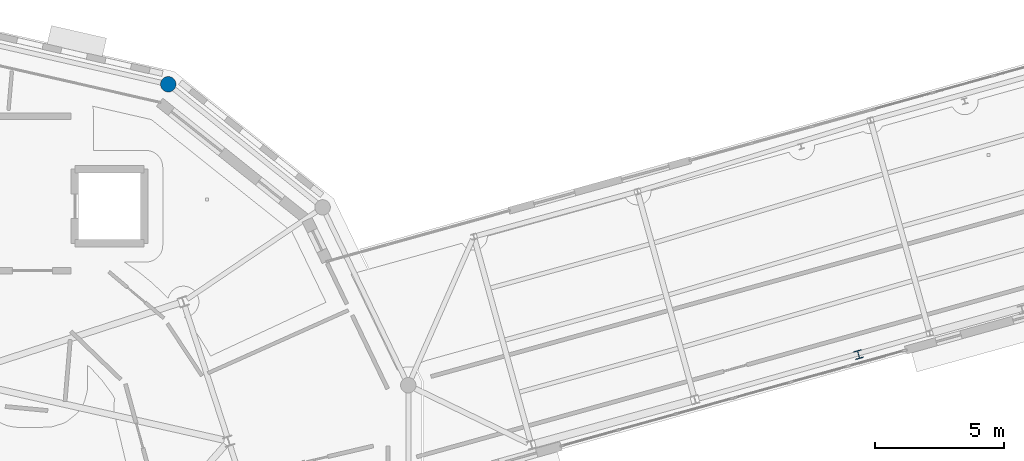
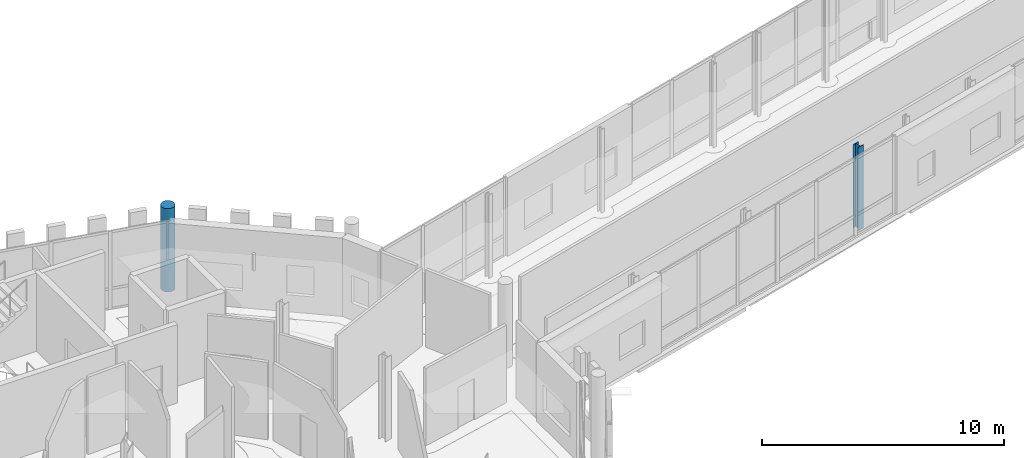
# One storey, part 4 of 125: 2 columns.
"""IFC4 building model written with IfcOpenShell, lengths in metres."""

from ifc_helpers import new_model, si_unit, direction, frame, origin, origin_2d, place, context, subcontext, project, spatial, circle, i_section, extrude, material, material_profile, profile_set, type_object, element, save


model = new_model("IFC4")

# Units and contexts
model_context = context("Model", 3, precision=1e-05, world=origin(), true_north=direction((0.0, 1.0)))
body_context = subcontext(model_context, "Body", "Model", "MODEL_VIEW")
ifc_project = project(units=[si_unit("LENGTHUNIT", "METRE"), si_unit("AREAUNIT", "SQUARE_METRE"), si_unit("VOLUMEUNIT", "CUBIC_METRE"), si_unit("PLANEANGLEUNIT", "RADIAN"), si_unit("MASSUNIT", "GRAM", prefix="KILO")], contexts=[model_context])

# Site, building, storey
site_placement = place(None, origin())
site = spatial("IfcSite", under=ifc_project, at=site_placement, CompositionType="ELEMENT")
building_placement = place(site_placement, origin())
building = spatial("IfcBuilding", under=site, at=building_placement, Name="Wrenclough Park School", CompositionType="ELEMENT")
storey_placement = place(building_placement, frame((0.0, 0.0, 4.199951171875)))
storey = spatial("IfcBuildingStorey", under=building, at=storey_placement, Name="L01", CompositionType="ELEMENT", Elevation=4.199951171875)

# Columns
ifc_material_1 = material(Name="Concrete C40/50", Category="concrete")
ifc_material_profile_1 = material_profile(ifc_material_1, circle(Radius=0.300048828125, at=origin_2d()), Name="RC COL D600")
ifc_profile_set_1 = profile_set([ifc_material_profile_1], Name="Concrete C40/50")
column_type_1 = type_object("IfcColumnType", Name="STR-COL-RCD600", PredefinedType="COLUMN", material=ifc_profile_set_1)
column_1_placement = place(storey_placement, frame((43.984619140625, 39.041748046875, 0.0), z_axis=(0.0, 0.0, 1.0), x_axis=(-0.90100131981, 0.43381634559, 0.0)))
element("IfcColumn", 1, at=column_1_placement, inside=storey, type_object=column_type_1, Name="D2 L01 column D2-OUT-03", PredefinedType="COLUMN", context=body_context, shape_type="SweptSolid", body=[
    extrude(circle(Radius=0.300048828125, at=origin_2d()), origin(), (0.0, 0.0, 1.0), 4.199951171875),
])
ifc_material_2 = material(Name="Structural steel S355", Category="steel")
ifc_material_profile_2 = material_profile(ifc_material_2, i_section(OverallWidth=0.307373046875, OverallDepth=0.314453125, WebThickness=0.011962890625, FlangeThickness=0.018798828125, FilletRadius=0.01513671875, at=origin_2d()), Name="UKC 305x305x118")
ifc_profile_set_2 = profile_set([ifc_material_profile_2], Name="Structural steel S355")
column_type_2 = type_object("IfcColumnType", Name="STR-COL-UKC305A", PredefinedType="COLUMN", material=ifc_profile_set_2)
column_2_placement = place(storey_placement, frame((70.824462890625, 28.5322265625, 0.0), z_axis=(0.0, 0.0, 1.0), x_axis=(0.964002648928, 0.265892634084, 0.0)))
element("IfcColumn", 2, at=column_2_placement, inside=storey, type_object=column_type_2, Name="W12 L01 column EAVE-ENTRANCE-F3", PredefinedType="COLUMN", context=body_context, shape_type="SweptSolid", body=[
    extrude(i_section(OverallWidth=0.307373046875, OverallDepth=0.314453125, WebThickness=0.011962890625, FlangeThickness=0.018798828125, FilletRadius=0.01513671875, at=origin_2d()), origin(), (0.0, 0.0, 1.0), 4.199951171875),
])

save(model, "model.ifc")
